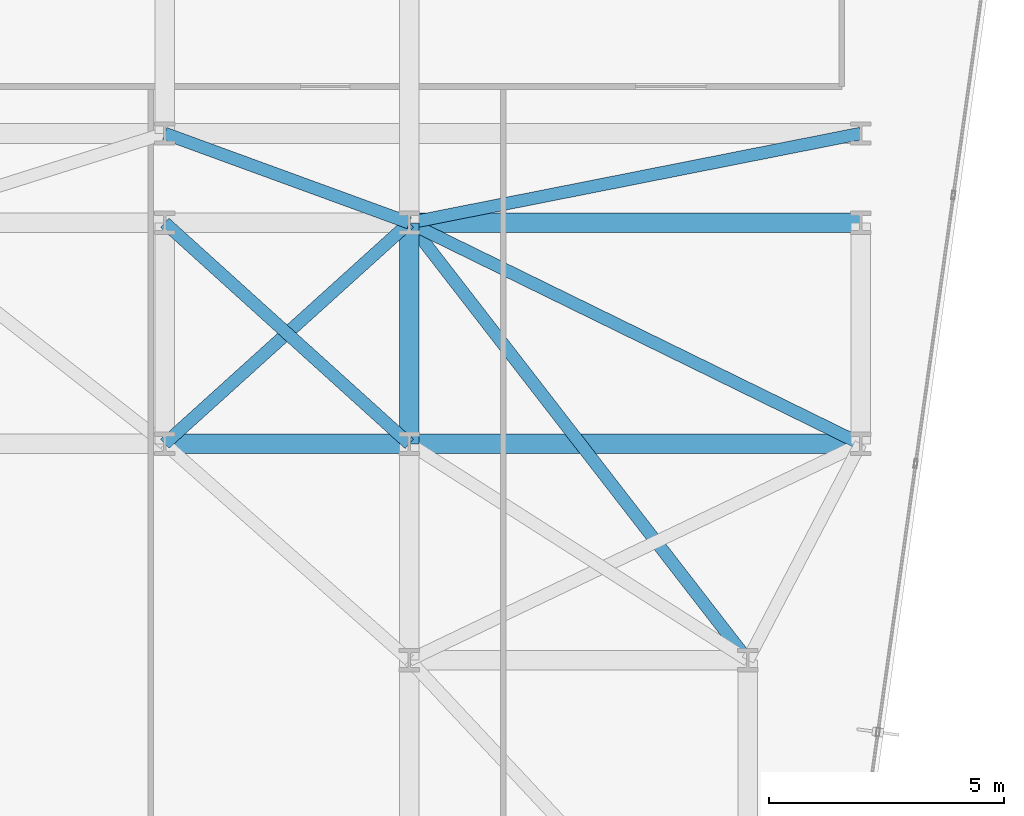
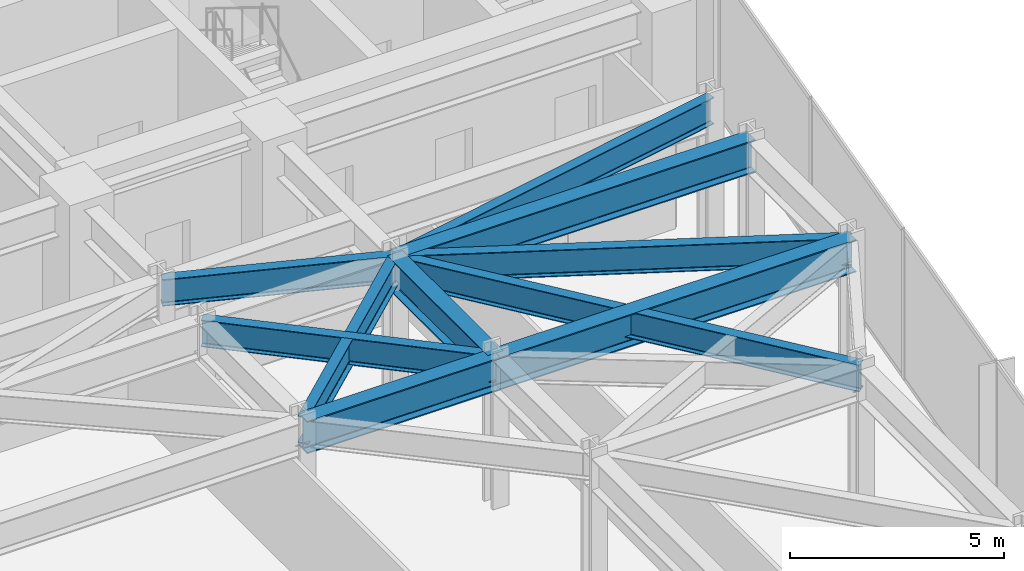
# One storey, part 18 of 28: 10 beams.
"""IFC4 building model written with IfcOpenShell, lengths in metres."""

from ifc_helpers import new_model, si_unit, direction, frame, origin, origin_2d, place, context, subcontext, project, spatial, i_section, extrude, material, material_profile, profile_set, type_object, element, save


model = new_model("IFC4")

# Units and contexts
model_context = context("Model", 3, precision=1e-05, world=origin(), true_north=direction((0.0, 1.0)))
body_context = subcontext(model_context, "Body", "Model", "MODEL_VIEW")
ifc_project = project(units=[si_unit("LENGTHUNIT", "METRE"), si_unit("AREAUNIT", "SQUARE_METRE"), si_unit("VOLUMEUNIT", "CUBIC_METRE"), si_unit("PLANEANGLEUNIT", "RADIAN"), si_unit("MASSUNIT", "GRAM", prefix="KILO")], contexts=[model_context])

# Site, building, storey
site_placement = place(None, origin())
site = spatial("IfcSite", under=ifc_project, at=site_placement, CompositionType="ELEMENT")
building_placement = place(site_placement, origin())
building = spatial("IfcBuilding", under=site, at=building_placement, Name="Kravanh Interchange Tower", CompositionType="ELEMENT")
storey_placement = place(building_placement, frame((0.0, 0.0, 91.5)))
storey = spatial("IfcBuildingStorey", under=building, at=storey_placement, Name="L21", CompositionType="ELEMENT", Elevation=91.5)

# Beams
ifc_material_1 = material(Name="Structural Steel S355", Category="steel")
ifc_material_profile_1 = material_profile(ifc_material_1, i_section(OverallWidth=0.41796875, OverallDepth=0.927001953125, WebThickness=0.019287109375, FlangeThickness=0.031982421875, FilletRadius=0.028076171875, at=origin_2d()), Name="W36X231")
ifc_profile_set_1 = profile_set([ifc_material_profile_1], Name="Structural Steel S355")
beam_type_1 = type_object("IfcBeamType", Name="Floor Beam W36X231 Structural Steel S355", PredefinedType="BEAM", material=ifc_profile_set_1)
beam_1_placement = place(storey_placement, frame((50.800048828125, 26.800048828125, 3.78662109375), z_axis=(1.0, 0.0, 0.0), x_axis=(0.0, 1.0, 0.0)))
element("IfcBeam", 1, at=beam_1_placement, inside=storey, type_object=beam_type_1, Name="L21 Primary Floor Girder 91", PredefinedType="BEAM", context=body_context, shape_type="SweptSolid", body=[
    extrude(i_section(OverallWidth=0.41796875, OverallDepth=0.927001953125, WebThickness=0.019287109375, FlangeThickness=0.031982421875, FilletRadius=0.028076171875, at=origin_2d()), origin(), (0.0, 0.0, 1.0), 5.199951171875),
])
beam_2_placement = place(storey_placement, frame((56.0, 26.800048828125, 3.78662109375), z_axis=(0.0, 1.0, 0.0), x_axis=(-1.0, 0.0, 0.0)))
element("IfcBeam", 2, at=beam_2_placement, inside=storey, type_object=beam_type_1, Name="L21 Primary Floor Girder 94", PredefinedType="BEAM", context=body_context, shape_type="SweptSolid", body=[
    extrude(i_section(OverallWidth=0.41796875, OverallDepth=0.927001953125, WebThickness=0.019287109375, FlangeThickness=0.031982421875, FilletRadius=0.028076171875, at=origin_2d()), origin(), (0.0, 0.0, 1.0), 4.699951171875),
])
for number, where, z_axis, x_axis, name in (
    (3, (56.0, 26.800048828125, 3.78662109375), (1.0, 0.0, 0.0), (0.0, 1.0, 0.0), "L21 Primary Floor Girder 97"),
    (4, (56.0, 31.5, 3.78662109375), (1.0, 0.0, 0.0), (0.0, 1.0, 0.0), "L21 Primary Floor Girder 119"),
):
    element("IfcBeam", number, at=place(storey_placement, frame(where, z_axis=z_axis, x_axis=x_axis)), inside=storey, type_object=beam_type_1, Name=name, PredefinedType="BEAM", context=body_context, shape_type="SweptSolid", body=[
        extrude(i_section(OverallWidth=0.41796875, OverallDepth=0.927001953125, WebThickness=0.019287109375, FlangeThickness=0.031982421875, FilletRadius=0.028076171875, at=origin_2d()), origin(), (0.0, 0.0, 1.0), 9.60009765625),
    ])
ifc_material_2 = material(Name="Structural Steel S355", Category="steel")
ifc_material_profile_2 = material_profile(ifc_material_2, i_section(OverallWidth=0.26708984375, OverallDepth=0.761962890625, WebThickness=0.014404296875, FlangeThickness=0.021484375, FilletRadius=0.02490234375, at=origin_2d()), Name="W30X116")
ifc_profile_set_2 = profile_set([ifc_material_profile_2], Name="Structural Steel S355")
beam_type_2 = type_object("IfcBeamType", Name="Floor Spandrel W30X116 Structural Steel S355", PredefinedType="SPANDREL", material=ifc_profile_set_2)
beam_3_placement = place(storey_placement, frame((63.199951171875, 22.199951171875, 3.868896484375), z_axis=(-0.612168587637, 0.790727273028, 0.0), x_axis=(-0.790727273028, -0.612168587637, 0.0)))
element("IfcBeam", 5, at=beam_3_placement, inside=storey, type_object=beam_type_2, Name="L21 Perimeter Spandrel 65", PredefinedType="SPANDREL", context=body_context, shape_type="SweptSolid", body=[
    extrude(i_section(OverallWidth=0.26708984375, OverallDepth=0.761962890625, WebThickness=0.014404296875, FlangeThickness=0.021484375, FilletRadius=0.02490234375, at=origin_2d()), origin(), (0.0, 0.0, 1.0), 11.761474609375),
])
for number, where, z_axis, x_axis, name in (
    (6, (50.800048828125, 26.800048828125, 3.868896484375), (0.741874009795, 0.670539300557, 0.0), (-0.670539300557, 0.741874009795, 0.0), "L21 Perimeter Spandrel 92"),
    (7, (56.0, 26.800048828125, 3.868896484375), (-0.741874009795, 0.670539300557, 0.0), (-0.670539300557, -0.741874009795, 0.0), "L21 Perimeter Spandrel 95"),
):
    element("IfcBeam", number, at=place(storey_placement, frame(where, z_axis=z_axis, x_axis=x_axis)), inside=storey, type_object=beam_type_2, Name=name, PredefinedType="SPANDREL", context=body_context, shape_type="SweptSolid", body=[
        extrude(i_section(OverallWidth=0.26708984375, OverallDepth=0.761962890625, WebThickness=0.014404296875, FlangeThickness=0.021484375, FilletRadius=0.02490234375, at=origin_2d()), origin(), (0.0, 0.0, 1.0), 7.00927734375),
    ])
beam_4_placement = place(storey_placement, frame((65.60009765625, 26.800048828125, 3.868896484375), z_axis=(-0.898141688387, 0.439706160499, 0.0), x_axis=(-0.439706160499, -0.898141688387, 0.0)))
element("IfcBeam", 8, at=beam_4_placement, inside=storey, type_object=beam_type_2, Name="L21 Perimeter Spandrel 99", PredefinedType="SPANDREL", context=body_context, shape_type="SweptSolid", body=[
    extrude(i_section(OverallWidth=0.26708984375, OverallDepth=0.761962890625, WebThickness=0.014404296875, FlangeThickness=0.021484375, FilletRadius=0.02490234375, at=origin_2d()), origin(), (0.0, 0.0, 1.0), 10.68896484375),
])
beam_5_placement = place(storey_placement, frame((56.0, 31.5, 3.868896484375), z_axis=(-0.93926957103, 0.343180233896, 0.0), x_axis=(-0.343180233896, -0.93926957103, 0.0)))
element("IfcBeam", 9, at=beam_5_placement, inside=storey, type_object=beam_type_2, Name="L21 Perimeter Spandrel 118", PredefinedType="SPANDREL", context=body_context, shape_type="SweptSolid", body=[
    extrude(i_section(OverallWidth=0.26708984375, OverallDepth=0.761962890625, WebThickness=0.014404296875, FlangeThickness=0.021484375, FilletRadius=0.02490234375, at=origin_2d()), origin(), (0.0, 0.0, 1.0), 5.5361328125),
])
beam_6_placement = place(storey_placement, frame((56.0, 31.5, 3.868896484375), z_axis=(0.980974000807, 0.194139150457, 0.0), x_axis=(-0.194139150457, 0.980974000807, 0.0)))
element("IfcBeam", 10, at=beam_6_placement, inside=storey, type_object=beam_type_2, Name="L21 Perimeter Spandrel 120", PredefinedType="SPANDREL", context=body_context, shape_type="SweptSolid", body=[
    extrude(i_section(OverallWidth=0.26708984375, OverallDepth=0.761962890625, WebThickness=0.014404296875, FlangeThickness=0.021484375, FilletRadius=0.02490234375, at=origin_2d()), origin(), (0.0, 0.0, 1.0), 9.786376953125),
])

save(model, "model.ifc")
